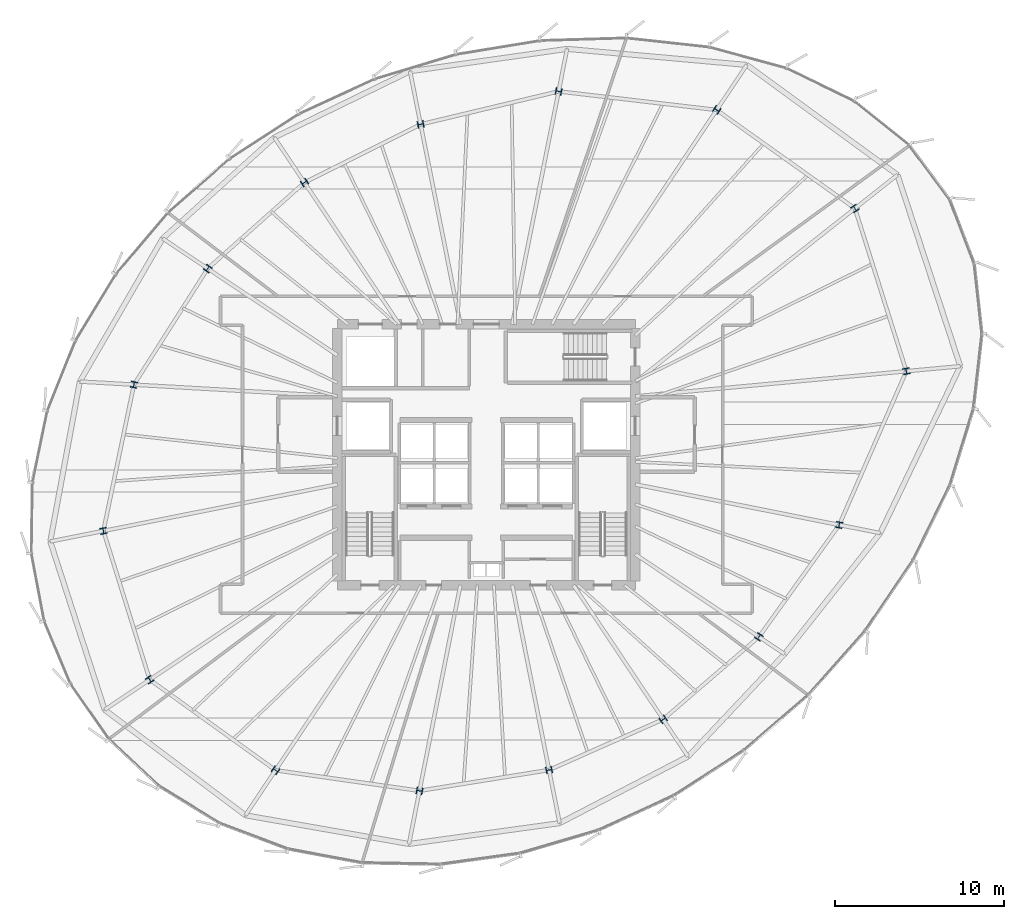
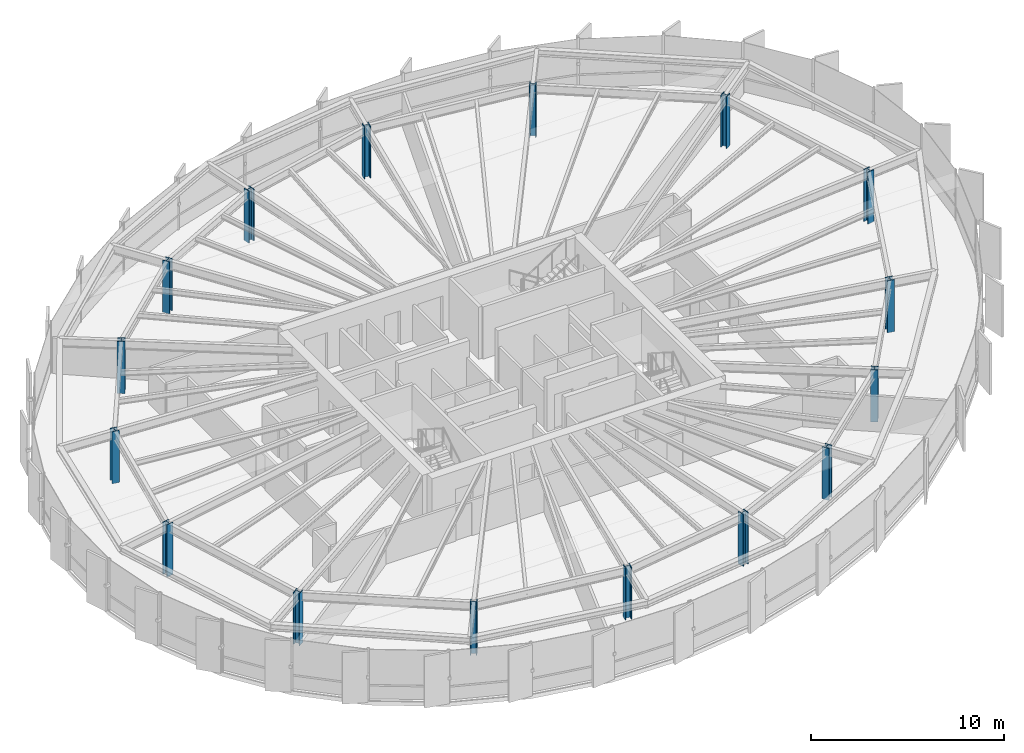
# One storey, part 1 of 36: 16 columns.
"""IFC4 building model written with IfcOpenShell, lengths in metres."""

from ifc_helpers import new_model, si_unit, direction, frame, origin, origin_2d, place, context, subcontext, project, spatial, i_section, extrude, source, transform, mapped, material, material_profile, profile_set, type_object, element, save


model = new_model("IFC4")

# Units and contexts
model_context = context("Model", 3, precision=1e-05, world=origin(), true_north=direction((0.0, 1.0)))
body_context = subcontext(model_context, "Body", "Model", "MODEL_VIEW")
ifc_project = project(units=[si_unit("LENGTHUNIT", "METRE"), si_unit("AREAUNIT", "SQUARE_METRE"), si_unit("VOLUMEUNIT", "CUBIC_METRE"), si_unit("PLANEANGLEUNIT", "RADIAN"), si_unit("MASSUNIT", "GRAM", prefix="KILO"), si_unit("THERMODYNAMICTEMPERATUREUNIT", "KELVIN")], contexts=[model_context])

# Site, building, storey
site_placement = place(None, origin())
site = spatial("IfcSite", under=ifc_project, at=site_placement, CompositionType="ELEMENT")
building_placement = place(site_placement, origin())
building = spatial("IfcBuilding", under=site, at=building_placement, Name="Kethvar Cultural Tower", CompositionType="ELEMENT")
storey_placement = place(building_placement, frame((0.0, 0.0, 150.10009765625)))
storey = spatial("IfcBuildingStorey", under=building, at=storey_placement, Name="L38", CompositionType="ELEMENT", Elevation=150.10009765625)

# Columns
ifc_material = material(Name="Steel S460M", Category="steel")
ifc_material_profile = material_profile(ifc_material, i_section(OverallWidth=0.39697265625, OverallDepth=0.364990234375, WebThickness=0.028076171875, FlangeThickness=0.0439453125, FilletRadius=0.014892578125, at=origin_2d()), Name="Steel S460M — HD400x592")
ifc_profile_set = profile_set([ifc_material_profile], Name="Steel S460M — HD400x592")
column_type = type_object("IfcColumnType", Name="COL-HD592", PredefinedType="COLUMN", material=ifc_profile_set)
shared_shape = source(origin(), body_context, "Body", "SweptSolid", [
    extrude(i_section(OverallWidth=0.39697265625, OverallDepth=0.364990234375, WebThickness=0.028076171875, FlangeThickness=0.0439453125, FilletRadius=0.014892578125, at=origin_2d()), origin(), (0.0, 0.0, 1.0), 3.2998046875),
])
for number, where, z_axis, x_axis, name in (
    (1, (71.6025390625, 32.7333984375, 0.0), (0.0, 0.0, 1.0), (0.980785280403, 0.195090322016, 0.0), "L38 Mega-Column MC-01"),
    (2, (68.568603515625, 42.34521484375, 0.0), (0.0, 0.0, 1.0), (0.831469612303, 0.55557023302, 0.0), "L38 Mega-Column MC-02"),
    (3, (60.40478515625, 48.160888671875, 0.0), (0.0, 0.0, 1.0), (0.55557023302, 0.831469612303, 0.0), "L38 Mega-Column MC-03"),
    (4, (51.068603515625, 49.25927734375, 0.0), (0.0, 0.0, 1.0), (0.195090322016, 0.980785280403, 0.0), "L38 Mega-Column MC-04"),
    (5, (42.9189453125, 47.311279296875, 0.0), (0.0, 0.0, 1.0), (-0.195090322016, 0.980785280403, 0.0), "L38 Mega-Column MC-05"),
    (6, (36.0576171875, 43.877197265625, 0.0), (0.0, 0.0, 1.0), (-0.55557023302, 0.831469612303, 0.0), "L38 Mega-Column MC-06"),
    (7, (30.345947265625, 38.794189453125, 0.0), (0.0, 0.0, 1.0), (-0.831469612303, 0.55557023302, 0.0), "L38 Mega-Column MC-07"),
    (8, (25.988525390625, 31.939697265625, 0.0), (0.0, 0.0, 1.0), (-0.980785280403, 0.195090322016, 0.0), "L38 Mega-Column MC-08"),
    (9, (24.185302734375, 23.3017578125, 0.0), (0.0, 0.0, 1.0), (-0.980785280403, -0.195090322016, 0.0), "L38 Mega-Column MC-09"),
    (10, (26.920654296875, 14.51708984375, 0.0), (0.0, 0.0, 1.0), (-0.831469612303, -0.55557023302, 0.0), "L38 Mega-Column MC-10"),
    (11, (34.350830078125, 9.16845703125, 0.0), (0.0, 0.0, 1.0), (-0.55557023302, -0.831469612303, 0.0), "L38 Mega-Column MC-11"),
    (12, (42.852294921875, 7.95361328125, 0.0), (0.0, 0.0, 1.0), (-0.195090322016, -0.980785280403, 0.0), "L38 Mega-Column MC-12"),
    (13, (50.50341796875, 9.182373046875, 0.0), (0.0, 0.0, 1.0), (0.195090322016, -0.980785280403, 0.0), "L38 Mega-Column MC-13"),
    (14, (57.241943359375, 12.17236328125, 0.0), (0.0, 0.0, 1.0), (0.55557023302, -0.831469612303, 0.0), "L38 Mega-Column MC-14"),
    (15, (62.898681640625, 17.043212890625, 0.0), (0.0, 0.0, 1.0), (0.831469612303, -0.55557023302, 0.0), "L38 Mega-Column MC-15"),
    (16, (67.638671875, 23.65478515625, 0.0), (0.0, 0.0, 1.0), (0.980785280403, -0.195090322016, 0.0), "L38 Mega-Column MC-16"),
):
    element("IfcColumn", number, at=place(storey_placement, frame(where, z_axis=z_axis, x_axis=x_axis)), inside=storey, type_object=column_type, Name=name, PredefinedType="COLUMN", context=body_context, shape_type="MappedRepresentation", body=[
        mapped(shared_shape, transform((0.0, 0.0, 0.0), scale=1.0)),
    ])

save(model, "model.ifc")
